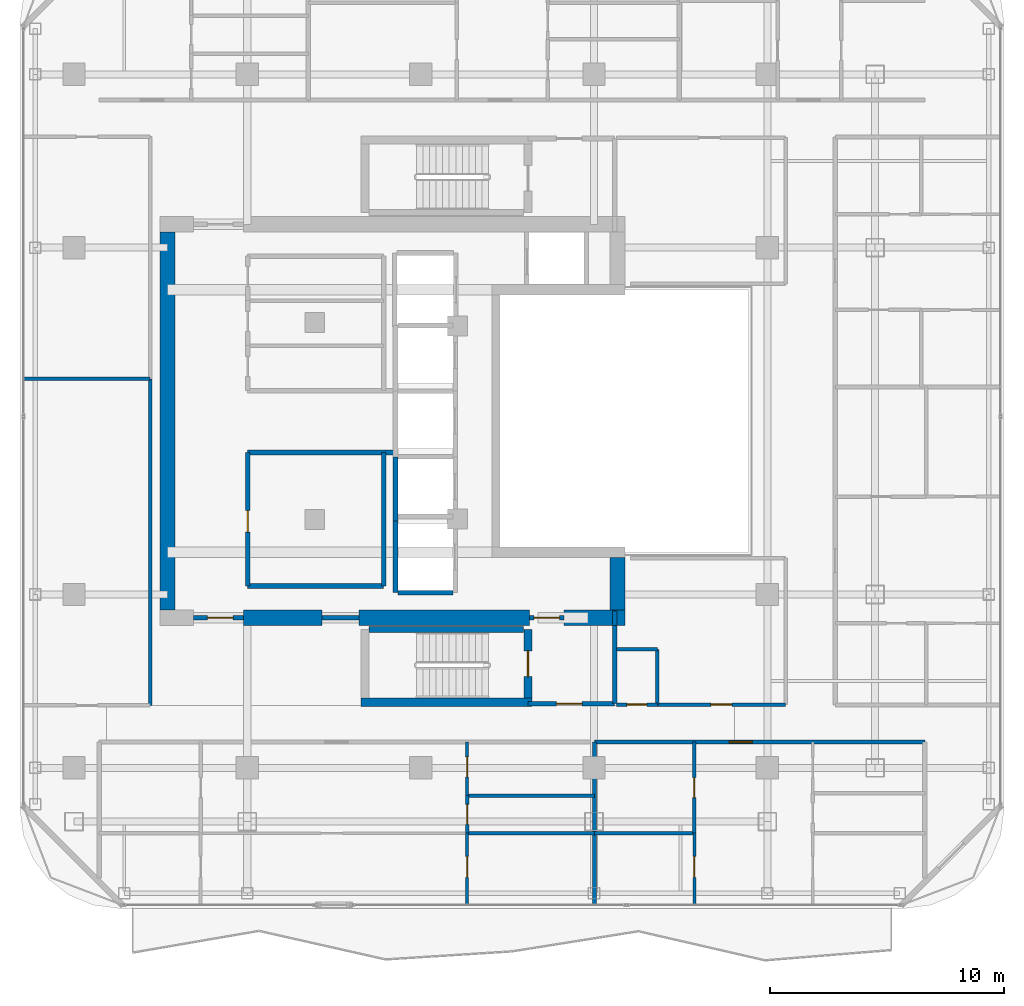
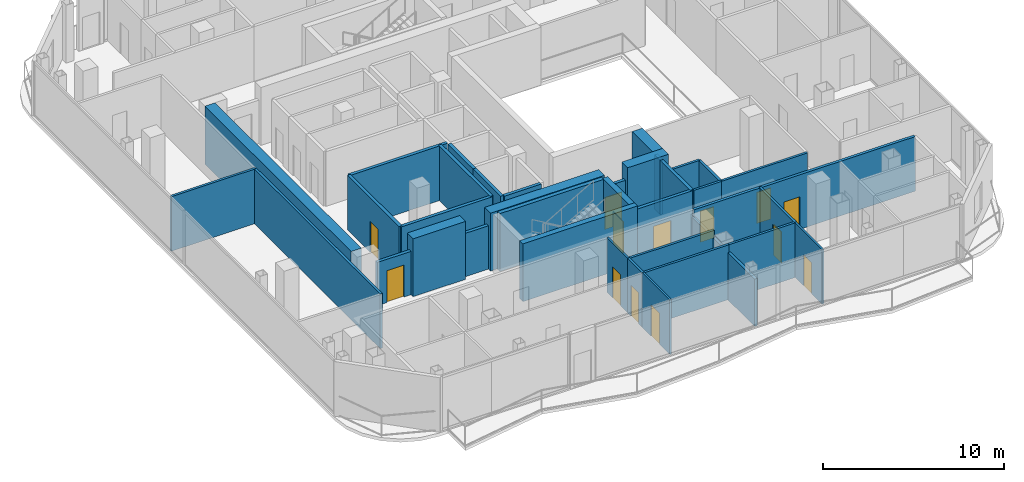
# One storey, part 16 of 23: 37 walls, 13 doors, 13 openings.
"""IFC4 building model written with IfcOpenShell, lengths in metres."""

from ifc_helpers import new_model, si_unit, direction, frame, frame_2d, origin, place, context, subcontext, project, spatial, rectangle, extrude, material, layer, layer_set, type_object, element, fill, save


model = new_model("IFC4")

# Units and contexts
model_context = context("Model", 3, precision=1e-05, world=origin(), true_north=direction((0.0, 1.0)))
body_context = subcontext(model_context, "Body", "Model", "MODEL_VIEW")
ifc_project = project(units=[si_unit("LENGTHUNIT", "METRE"), si_unit("AREAUNIT", "SQUARE_METRE"), si_unit("VOLUMEUNIT", "CUBIC_METRE"), si_unit("PLANEANGLEUNIT", "RADIAN"), si_unit("MASSUNIT", "GRAM", prefix="KILO")], contexts=[model_context])

# Site, building, storey
site_placement = place(None, origin())
site = spatial("IfcSite", under=ifc_project, at=site_placement, CompositionType="ELEMENT")
building_placement = place(site_placement, origin())
building = spatial("IfcBuilding", under=site, at=building_placement, Name="Khorvyn Point Tower", CompositionType="ELEMENT")
storey_placement = place(building_placement, frame((0.0, 0.0, 258.60009765625)))
storey = spatial("IfcBuildingStorey", under=building, at=storey_placement, Name="L63", CompositionType="ELEMENT", Elevation=258.60009765625)

# Wall, opening, door
ifc_material_1 = material(Name="Double acoustic gypsum on twin steel stud", Category="steel")
ifc_layer_1 = layer(ifc_material_1, 0.179931640625)
ifc_layer_set_1 = layer_set([ifc_layer_1], Name="Acoustic Double-Stud Apartment Demising Wall 180")
wall_type_1 = type_object("IfcWallType", Name="Acoustic Double-Stud Apartment Demising Wall 180", PredefinedType="PARTITIONING", material=ifc_layer_set_1)
wall_1_placement = place(storey_placement, frame((7.424072265625, -13.699951171875, 0.0), z_axis=(0.0, 0.0, 1.0), x_axis=(1.0, 0.0, 0.0)))
wall_1 = element("IfcWall", 1, at=wall_1_placement, inside=storey, type_object=wall_type_1, Name="Wall", PredefinedType="PARTITIONING", context=body_context, shape_type="SweptSolid", body=[
    extrude(rectangle(XDim=14.095947265625, YDim=0.179931640625, at=frame_2d((7.0478515625, 0.0))), origin(), (0.0, 0.0, 1.0), 3.679931640625),
])
opening_1_placement = place(wall_1_placement, frame((5.73828125, 0.0, 0.0)))
opening_1 = element("IfcOpeningElement", 2, at=opening_1_placement, cuts=wall_1, Name="Opening ID-AP60", PredefinedType="OPENING", context=body_context, shape_type="SweptSolid", body=[
    extrude(rectangle(XDim=1.0, YDim=2.199951171875, at=frame_2d((0.5, 1.10009765625))), frame((0.0, 0.099853515625, 0.0), z_axis=(0.0, -1.0, 0.0), x_axis=(1.0, 0.0, 0.0)), (0.0, 0.0, 1.0), 0.199951171875),
])
ifc_material_2 = material(Name="Engineered hardwood fire-rated leaf", Category="wood")
door_type_1 = type_object("IfcDoorType", Name="Acoustic Solid-Core Timber Apartment Entrance Door 1000x2200", OperationType="NOTDEFINED", PredefinedType="DOOR", material=ifc_material_2)
door_1_placement = place(opening_1_placement, origin())
door_1 = element("IfcDoor", 3, at=door_1_placement, inside=storey, type_object=door_type_1, Name="Door", OperationType="SINGLE_SWING_LEFT", OverallHeight=2.199951171875, OverallWidth=1.0, PredefinedType="DOOR", context=body_context, shape_type="SweptSolid", body=[
    extrude(rectangle(XDim=1.0, YDim=2.199951171875, at=frame_2d((0.5, 1.10009765625))), frame((0.0, 0.02490234375, 0.0), z_axis=(0.0, -1.0, 0.0), x_axis=(1.0, 0.0, 0.0)), (0.0, 0.0, 1.0), 0.050048828125),
])
fill(opening_1, door_1)

# Walls
wall_2_placement = place(storey_placement, frame((7.424072265625, -20.6298828125, 0.0), z_axis=(0.0, 0.0, 1.0), x_axis=(0.0, 1.0, 0.0)))
element("IfcWall", 4, at=wall_2_placement, inside=storey, type_object=wall_type_1, Name="Wall", PredefinedType="PARTITIONING", context=body_context, shape_type="SweptSolid", body=[
    extrude(rectangle(XDim=6.929931640625, YDim=0.179931640625, at=frame_2d((3.46484375, 0.0))), origin(), (0.0, 0.0, 1.0), 3.181884765625),
])
ifc_material_3 = material(Name="Concrete C40/50", Category="concrete")
ifc_layer_2 = layer(ifc_material_3, 0.64990234375)
ifc_layer_set_2 = layer_set([ifc_layer_2], Name="Concrete C40/50 Core Shear Wall 650")
wall_type_2 = type_object("IfcWallType", Name="Concrete C40/50 Core Shear Wall 650", PredefinedType="SHEAR", material=ifc_layer_set_2)
wall_3_placement = place(storey_placement, frame((-7.550048828125, -8.39990234375, 0.0), z_axis=(0.0, 0.0, 1.0), x_axis=(1.0, 0.0, 0.0)))
element("IfcWall", 5, at=wall_3_placement, inside=storey, type_object=wall_type_2, Name="Wall", PredefinedType="SHEAR", context=body_context, shape_type="SweptSolid", body=[
    extrude(rectangle(XDim=3.35009765625, YDim=0.64990234375, at=frame_2d((1.675048828125, 0.0))), origin(), (0.0, 0.0, 1.0), 3.89990234375),
])
wall_4_placement = place(storey_placement, frame((-2.6201171875, -8.39990234375, 0.0), z_axis=(0.0, 0.0, 1.0), x_axis=(1.0, 0.0, 0.0)))
element("IfcWall", 6, at=wall_4_placement, inside=storey, type_object=wall_type_2, Name="Wall", PredefinedType="SHEAR", context=body_context, shape_type="SweptSolid", body=[
    extrude(rectangle(XDim=7.27001953125, YDim=0.64990234375, at=frame_2d((3.635009765625, 0.0))), origin(), (0.0, 0.0, 1.0), 3.89990234375),
])
wall_5_placement = place(storey_placement, frame((6.1201171875, -8.39990234375, 0.0), z_axis=(0.0, 0.0, 1.0), x_axis=(1.0, 0.0, 0.0)))
element("IfcWall", 7, at=wall_5_placement, inside=storey, type_object=wall_type_2, Name="Wall", PredefinedType="SHEAR", context=body_context, shape_type="SweptSolid", body=[
    extrude(rectangle(XDim=2.60498046875, YDim=0.64990234375, at=frame_2d((1.302490234375, 0.0))), origin(), (0.0, 0.0, 1.0), 3.89990234375),
])
wall_6_placement = place(storey_placement, frame((-10.800048828125, -8.074951171875, 0.0), z_axis=(0.0, 0.0, 1.0), x_axis=(0.0, 1.0, 0.0)))
element("IfcWall", 8, at=wall_6_placement, inside=storey, type_object=wall_type_2, Name="Wall", PredefinedType="SHEAR", context=body_context, shape_type="SweptSolid", body=[
    extrude(rectangle(XDim=16.14990234375, YDim=0.64990234375, at=frame_2d((8.074951171875, 0.0))), origin(), (0.0, 0.0, 1.0), 3.89990234375),
])
wall_7_placement = place(storey_placement, frame((8.39990234375, -8.074951171875, 0.0), z_axis=(0.0, 0.0, 1.0), x_axis=(0.0, 1.0, 0.0)))
element("IfcWall", 9, at=wall_7_placement, inside=storey, type_object=wall_type_2, Name="Wall", PredefinedType="SHEAR", context=body_context, shape_type="SweptSolid", body=[
    extrude(rectangle(XDim=2.25, YDim=0.64990234375, at=frame_2d((1.125, 0.0))), origin(), (0.0, 0.0, 1.0), 3.89990234375),
])

# Wall, opening, door
ifc_layer_3 = layer(ifc_material_3, 0.199951171875)
ifc_layer_set_3 = layer_set([ifc_layer_3], Name="Concrete C40/50 Fire-Lobby Compartment Wall 200")
wall_type_3 = type_object("IfcWallType", Name="Concrete C40/50 Fire-Lobby Compartment Wall 200", PredefinedType="SOLIDWALL", material=ifc_layer_set_3)
wall_8_placement = place(storey_placement, frame((4.580078125, -12.06005859375, 0.0), z_axis=(0.0, 0.0, 1.0), x_axis=(1.0, 0.0, 0.0)))
wall_8 = element("IfcWall", 10, at=wall_8_placement, inside=storey, type_object=wall_type_3, Name="Wall", PredefinedType="SOLIDWALL", context=body_context, shape_type="SweptSolid", body=[
    extrude(rectangle(XDim=3.699951171875, YDim=0.199951171875, at=frame_2d((1.85009765625, 0.0))), origin(), (0.0, 0.0, 1.0), 3.679931640625),
])
opening_2_placement = place(wall_8_placement, frame((1.21240234375, 0.0, 0.0)))
opening_2 = element("IfcOpeningElement", 11, at=opening_2_placement, cuts=wall_8, Name="Opening ID-FL90", PredefinedType="OPENING", context=body_context, shape_type="SweptSolid", body=[
    extrude(rectangle(XDim=1.10009765625, YDim=2.14990234375, at=frame_2d((0.550048828125, 1.074951171875))), frame((0.0, 0.10986328125, 0.0), z_axis=(0.0, -1.0, 0.0), x_axis=(1.0, 0.0, 0.0)), (0.0, 0.0, 1.0), 0.219970703125),
])
ifc_material_4 = material(Name="Galvanised powder-coated steel", Category="steel")
door_type_2 = type_object("IfcDoorType", Name="Fire-Rated Steel Lobby and Stair Door 1100x2150", OperationType="NOTDEFINED", PredefinedType="DOOR", material=ifc_material_4)
door_2_placement = place(opening_2_placement, origin())
door_2 = element("IfcDoor", 12, at=door_2_placement, inside=storey, type_object=door_type_2, Name="Door", OperationType="SINGLE_SWING_LEFT", OverallHeight=2.14990234375, OverallWidth=1.10009765625, PredefinedType="DOOR", context=body_context, shape_type="SweptSolid", body=[
    extrude(rectangle(XDim=1.10009765625, YDim=2.14990234375, at=frame_2d((0.550048828125, 1.074951171875))), frame((0.0, 0.02490234375, 0.0), z_axis=(0.0, -1.0, 0.0), x_axis=(1.0, 0.0, 0.0)), (0.0, 0.0, 1.0), 0.050048828125),
])
fill(opening_2, door_2)

wall_9_placement = place(storey_placement, frame((4.64990234375, -8.39990234375, 0.0), z_axis=(0.0, 0.0, 1.0), x_axis=(1.0, 0.0, 0.0)))
wall_9 = element("IfcWall", 13, at=wall_9_placement, inside=storey, type_object=wall_type_3, Name="Wall", PredefinedType="SOLIDWALL", context=body_context, shape_type="SweptSolid", body=[
    extrude(rectangle(XDim=1.47021484375, YDim=0.199951171875, at=frame_2d((0.735107421875, 0.0))), origin(), (0.0, 0.0, 1.0), 2.919921875),
])
opening_3_placement = place(wall_9_placement, frame((0.18505859375, 0.0, 0.0)))
opening_3 = element("IfcOpeningElement", 14, at=opening_3_placement, cuts=wall_9, Name="Opening ID-FL90", PredefinedType="OPENING", context=body_context, shape_type="SweptSolid", body=[
    extrude(rectangle(XDim=1.10009765625, YDim=2.14990234375, at=frame_2d((0.550048828125, 1.074951171875))), frame((0.0, 0.10986328125, 0.0), z_axis=(0.0, -1.0, 0.0), x_axis=(1.0, 0.0, 0.0)), (0.0, 0.0, 1.0), 0.219970703125),
])
door_3_placement = place(opening_3_placement, origin())
door_3 = element("IfcDoor", 15, at=door_3_placement, inside=storey, type_object=door_type_2, Name="Door", OperationType="SINGLE_SWING_RIGHT", OverallHeight=2.14990234375, OverallWidth=1.10009765625, PredefinedType="DOOR", context=body_context, shape_type="SweptSolid", body=[
    extrude(rectangle(XDim=1.10009765625, YDim=2.14990234375, at=frame_2d((0.550048828125, 1.074951171875))), frame((0.0, 0.02490234375, 0.0), z_axis=(0.0, -1.0, 0.0), x_axis=(1.0, 0.0, 0.0)), (0.0, 0.0, 1.0), 0.050048828125),
])
fill(opening_3, door_3)

wall_10_placement = place(storey_placement, frame((-9.699951171875, -8.39990234375, 0.0), z_axis=(0.0, 0.0, 1.0), x_axis=(1.0, 0.0, 0.0)))
wall_10 = element("IfcWall", 16, at=wall_10_placement, inside=storey, type_object=wall_type_3, Name="Wall", PredefinedType="SOLIDWALL", context=body_context, shape_type="SweptSolid", body=[
    extrude(rectangle(XDim=2.14990234375, YDim=0.199951171875, at=frame_2d((1.074951171875, 0.0))), origin(), (0.0, 0.0, 1.0), 2.919921875),
])
opening_4_placement = place(wall_10_placement, frame((0.597900390625, 0.0, 0.0)))
opening_4 = element("IfcOpeningElement", 17, at=opening_4_placement, cuts=wall_10, Name="Opening ID-FL90", PredefinedType="OPENING", context=body_context, shape_type="SweptSolid", body=[
    extrude(rectangle(XDim=1.10009765625, YDim=2.14990234375, at=frame_2d((0.550048828125, 1.074951171875))), frame((0.0, 0.10986328125, 0.0), z_axis=(0.0, -1.0, 0.0), x_axis=(1.0, 0.0, 0.0)), (0.0, 0.0, 1.0), 0.219970703125),
])
door_4_placement = place(opening_4_placement, origin())
door_4 = element("IfcDoor", 18, at=door_4_placement, inside=storey, type_object=door_type_2, Name="Door", OperationType="SINGLE_SWING_RIGHT", OverallHeight=2.14990234375, OverallWidth=1.10009765625, PredefinedType="DOOR", context=body_context, shape_type="SweptSolid", body=[
    extrude(rectangle(XDim=1.10009765625, YDim=2.14990234375, at=frame_2d((0.550048828125, 1.074951171875))), frame((0.0, 0.02490234375, 0.0), z_axis=(0.0, -1.0, 0.0), x_axis=(1.0, 0.0, 0.0)), (0.0, 0.0, 1.0), 0.050048828125),
])
fill(opening_4, door_4)

wall_11_placement = place(storey_placement, frame((-7.3798828125, -7.0400390625, 0.0), z_axis=(0.0, 0.0, 1.0), x_axis=(0.0, 1.0, 0.0)))
wall_11 = element("IfcWall", 19, at=wall_11_placement, inside=storey, type_object=wall_type_3, Name="Wall", PredefinedType="SOLIDWALL", context=body_context, shape_type="SweptSolid", body=[
    extrude(rectangle(XDim=5.699951171875, YDim=0.199951171875, at=frame_2d((2.85009765625, 0.0))), origin(), (0.0, 0.0, 1.0), 3.679931640625),
])
opening_5_placement = place(wall_11_placement, frame((2.30078125, 0.0, 0.0)))
opening_5 = element("IfcOpeningElement", 20, at=opening_5_placement, cuts=wall_11, Name="Opening ID-RS60", PredefinedType="OPENING", context=body_context, shape_type="SweptSolid", body=[
    extrude(rectangle(XDim=0.919921875, YDim=2.10009765625, at=frame_2d((0.4599609375, 1.050048828125))), frame((0.0, 0.10986328125, 0.0), z_axis=(0.0, -1.0, 0.0), x_axis=(1.0, 0.0, 0.0)), (0.0, 0.0, 1.0), 0.219970703125),
])
door_type_3 = type_object("IfcDoorType", Name="Fire-Rated Riser and Store Steel Door 920x2100", OperationType="NOTDEFINED", PredefinedType="DOOR", material=ifc_material_4)
door_5_placement = place(opening_5_placement, origin())
door_5 = element("IfcDoor", 21, at=door_5_placement, inside=storey, type_object=door_type_3, Name="Door", OperationType="SINGLE_SWING_RIGHT", OverallHeight=2.10009765625, OverallWidth=0.919921875, PredefinedType="DOOR", context=body_context, shape_type="SweptSolid", body=[
    extrude(rectangle(XDim=0.919921875, YDim=2.10009765625, at=frame_2d((0.4599609375, 1.050048828125))), frame((0.0, 0.02490234375, 0.0), z_axis=(0.0, -1.0, 0.0), x_axis=(1.0, 0.0, 0.0)), (0.0, 0.0, 1.0), 0.050048828125),
])
fill(opening_5, door_5)

# Walls
wall_12_placement = place(storey_placement, frame((8.280029296875, -12.06005859375, 0.0), z_axis=(0.0, 0.0, 1.0), x_axis=(0.0, 1.0, 0.0)))
element("IfcWall", 22, at=wall_12_placement, inside=storey, type_object=wall_type_3, Name="Wall", PredefinedType="SOLIDWALL", context=body_context, shape_type="SweptSolid", body=[
    extrude(rectangle(XDim=3.3349609375, YDim=0.199951171875, at=frame_2d((1.66748046875, 0.0))), origin(), (0.0, 0.0, 1.0), 3.679931640625),
])
wall_13_placement = place(storey_placement, frame((-4.199951171875, -8.39990234375, 0.0), z_axis=(0.0, 0.0, 1.0), x_axis=(1.0, 0.0, 0.0)))
element("IfcWall", 23, at=wall_13_placement, inside=storey, type_object=wall_type_3, Name="Wall", PredefinedType="SOLIDWALL", context=body_context, shape_type="SweptSolid", body=[
    extrude(rectangle(XDim=1.579833984375, YDim=0.199951171875, at=frame_2d((0.7900390625, 0.0))), origin(), (0.0, 0.0, 1.0), 2.919921875),
])
wall_14_placement = place(storey_placement, frame((-7.3798828125, -1.340087890625, 0.0), z_axis=(0.0, 0.0, 1.0), x_axis=(1.0, 0.0, 0.0)))
element("IfcWall", 24, at=wall_14_placement, inside=storey, type_object=wall_type_3, Name="Wall", PredefinedType="SOLIDWALL", context=body_context, shape_type="SweptSolid", body=[
    extrude(rectangle(XDim=6.239990234375, YDim=0.199951171875, at=frame_2d((3.1201171875, 0.0))), origin(), (0.0, 0.0, 1.0), 3.679931640625),
])
wall_15_placement = place(storey_placement, frame((-1.580078125, -7.0400390625, 0.0), z_axis=(0.0, 0.0, 1.0), x_axis=(0.0, 1.0, 0.0)))
element("IfcWall", 25, at=wall_15_placement, inside=storey, type_object=wall_type_3, Name="Wall", PredefinedType="SOLIDWALL", context=body_context, shape_type="SweptSolid", body=[
    extrude(rectangle(XDim=5.699951171875, YDim=0.199951171875, at=frame_2d((2.85009765625, 0.0))), origin(), (0.0, 0.0, 1.0), 3.679931640625),
])
wall_16_placement = place(storey_placement, frame((-7.3798828125, -7.0400390625, 0.0), z_axis=(0.0, 0.0, 1.0), x_axis=(1.0, 0.0, 0.0)))
element("IfcWall", 26, at=wall_16_placement, inside=storey, type_object=wall_type_3, Name="Wall", PredefinedType="SOLIDWALL", context=body_context, shape_type="SweptSolid", body=[
    extrude(rectangle(XDim=5.7998046875, YDim=0.199951171875, at=frame_2d((2.89990234375, 0.0))), origin(), (0.0, 0.0, 1.0), 3.679931640625),
])
wall_17_placement = place(storey_placement, frame((8.280029296875, -8.72509765625, 0.0), z_axis=(0.0, 0.0, 1.0), x_axis=(0.0, 1.0, 0.0)))
element("IfcWall", 27, at=wall_17_placement, inside=storey, type_object=wall_type_3, Name="Wall", PredefinedType="SOLIDWALL", context=body_context, shape_type="SweptSolid", body=[
    extrude(rectangle(XDim=0.625, YDim=0.199951171875, at=frame_2d((0.3125, 0.0))), origin(), (0.0, 0.0, 1.0), 3.679931640625),
])
ifc_layer_4 = layer(ifc_material_3, 0.25)
ifc_layer_set_4 = layer_set([ifc_layer_4], Name="Concrete C40/50 Stair Inner Cheek Structural Wall 250")
wall_type_4 = type_object("IfcWallType", Name="Concrete C40/50 Stair Inner Cheek Structural Wall 250", PredefinedType="SHEAR", material=ifc_layer_set_4)
wall_18_placement = place(storey_placement, frame((-2.199951171875, -8.89990234375, 0.0), z_axis=(0.0, 0.0, 1.0), x_axis=(1.0, 0.0, 0.0)))
element("IfcWall", 28, at=wall_18_placement, inside=storey, type_object=wall_type_4, Name="Wall", PredefinedType="SHEAR", context=body_context, shape_type="SweptSolid", body=[
    extrude(rectangle(XDim=6.599853515625, YDim=0.25, at=frame_2d((3.2998046875, 0.0))), origin(), (0.0, 0.0, 1.0), 3.89990234375),
])
ifc_layer_5 = layer(ifc_material_3, 0.35009765625)
ifc_layer_set_5 = layer_set([ifc_layer_5], Name="Concrete C40/50 Stair Shaft Structural Wall 350")
wall_type_5 = type_object("IfcWallType", Name="Concrete C40/50 Stair Shaft Structural Wall 350", PredefinedType="SHEAR", material=ifc_layer_set_5)
wall_19_placement = place(storey_placement, frame((-2.554931640625, -12.0, 0.0), z_axis=(0.0, 0.0, 1.0), x_axis=(1.0, 0.0, 0.0)))
element("IfcWall", 29, at=wall_19_placement, inside=storey, type_object=wall_type_5, Name="L63 ST-01 South Shaft Wall", PredefinedType="SHEAR", context=body_context, shape_type="SweptSolid", body=[
    extrude(rectangle(XDim=7.309814453125, YDim=0.35009765625, at=frame_2d((3.65478515625, 0.0))), origin(), (0.0, 0.0, 1.0), 3.89990234375),
])

# Wall, opening, door
wall_20_placement = place(storey_placement, frame((4.580078125, -8.89990234375, 0.0), z_axis=(0.0, 0.0, 1.0), x_axis=(0.0, -1.0, 0.0)))
wall_20 = element("IfcWall", 30, at=wall_20_placement, inside=storey, type_object=wall_type_5, Name="L63 ST-01 East Landing Door Wall", PredefinedType="SHEAR", context=body_context, shape_type="SweptSolid", body=[
    extrude(rectangle(XDim=2.925048828125, YDim=0.35009765625, at=frame_2d((1.46240234375, 0.0))), origin(), (0.0, 0.0, 1.0), 3.89990234375),
])
opening_6_placement = place(wall_20_placement, frame((0.91259765625, 0.0, 0.0)))
opening_6 = element("IfcOpeningElement", 31, at=opening_6_placement, cuts=wall_20, Name="Opening ID-FL90", PredefinedType="OPENING", context=body_context, shape_type="SweptSolid", body=[
    extrude(rectangle(XDim=1.10009765625, YDim=2.14990234375, at=frame_2d((0.550048828125, 1.074951171875))), frame((0.0, 0.18505859375, 0.0), z_axis=(0.0, -1.0, 0.0), x_axis=(1.0, 0.0, 0.0)), (0.0, 0.0, 1.0), 0.3701171875),
])
door_6_placement = place(opening_6_placement, origin())
door_6 = element("IfcDoor", 32, at=door_6_placement, inside=storey, type_object=door_type_2, Name="L63 ST-01 Smokeproof Landing Door", OperationType="SINGLE_SWING_LEFT", OverallHeight=2.14990234375, OverallWidth=1.10009765625, PredefinedType="DOOR", context=body_context, shape_type="SweptSolid", body=[
    extrude(rectangle(XDim=1.10009765625, YDim=2.14990234375, at=frame_2d((0.550048828125, 1.074951171875))), frame((0.0, 0.02490234375, 0.0), z_axis=(0.0, -1.0, 0.0), x_axis=(1.0, 0.0, 0.0)), (0.0, 0.0, 1.0), 0.050048828125),
])
fill(opening_6, door_6)

# Walls
ifc_layer_6 = layer(ifc_material_3, 0.199951171875)
ifc_layer_set_6 = layer_set([ifc_layer_6], Name="Concrete C40/50 Structural Hoistway and Stair Shaft Wall 200")
wall_type_6 = type_object("IfcWallType", Name="Concrete C40/50 Structural Hoistway and Stair Shaft Wall 200", PredefinedType="SHEAR", material=ifc_layer_set_6)
wall_21_placement = place(storey_placement, frame((-1.074951171875, -4.27490234375, 0.0), z_axis=(0.0, 0.0, 1.0), x_axis=(0.0, 1.0, 0.0)))
element("IfcWall", 33, at=wall_21_placement, inside=storey, type_object=wall_type_6, Name="Wall", PredefinedType="SHEAR", context=body_context, shape_type="SweptSolid", body=[
    extrude(rectangle(XDim=2.75, YDim=0.199951171875, at=frame_2d((1.375, 0.0))), origin(), (0.0, 0.0, 1.0), 3.679931640625),
])
wall_22_placement = place(storey_placement, frame((-1.074951171875, -7.324951171875, 0.0), z_axis=(0.0, 0.0, 1.0), x_axis=(0.0, 1.0, 0.0)))
element("IfcWall", 34, at=wall_22_placement, inside=storey, type_object=wall_type_6, Name="Wall", PredefinedType="SHEAR", context=body_context, shape_type="SweptSolid", body=[
    extrude(rectangle(XDim=3.050048828125, YDim=0.199951171875, at=frame_2d((1.52490234375, 0.0))), origin(), (0.0, 0.0, 1.0), 3.679931640625),
])
wall_23_placement = place(storey_placement, frame((-0.97509765625, -7.324951171875, 0.0), z_axis=(0.0, 0.0, 1.0), x_axis=(1.0, 0.0, 0.0)))
element("IfcWall", 35, at=wall_23_placement, inside=storey, type_object=wall_type_6, Name="Wall", PredefinedType="SHEAR", context=body_context, shape_type="SweptSolid", body=[
    extrude(rectangle(XDim=2.35009765625, YDim=0.199951171875, at=frame_2d((1.175048828125, 0.0))), origin(), (0.0, 0.0, 1.0), 3.679931640625),
])

# Wall, opening, door
ifc_material_5 = material(Name="Gypsum plasterboard on steel stud", Category="steel")
ifc_layer_7 = layer(ifc_material_5, 0.1201171875)
ifc_layer_set_7 = layer_set([ifc_layer_7], Name="Gypsum Acoustic Stud Room Partition Wall 120")
wall_type_7 = type_object("IfcWallType", Name="Gypsum Acoustic Stud Room Partition Wall 120", PredefinedType="PARTITIONING", material=ifc_layer_set_7)
wall_24_placement = place(storey_placement, frame((1.98291015625, -15.98291015625, 0.0), z_axis=(0.0, 0.0, 1.0), x_axis=(0.0, 1.0, 0.0)))
wall_24 = element("IfcWall", 36, at=wall_24_placement, inside=storey, type_object=wall_type_7, Name="Wall", PredefinedType="PARTITIONING", context=body_context, shape_type="SweptSolid", body=[
    extrude(rectangle(XDim=2.282958984375, YDim=0.1201171875, at=frame_2d((1.1416015625, 0.0))), origin(), (0.0, 0.0, 1.0), 3.679931640625),
])
opening_7_placement = place(wall_24_placement, frame((0.7958984375, 0.0, 0.0)))
opening_7 = element("IfcOpeningElement", 37, at=opening_7_placement, cuts=wall_24, Name="Opening ID-WC85", PredefinedType="OPENING", context=body_context, shape_type="SweptSolid", body=[
    extrude(rectangle(XDim=0.85009765625, YDim=2.10009765625, at=frame_2d((0.425048828125, 1.050048828125))), frame((0.0, 0.070068359375, 0.0), z_axis=(0.0, -1.0, 0.0), x_axis=(1.0, 0.0, 0.0)), (0.0, 0.0, 1.0), 0.14013671875),
])
ifc_material_6 = material(Name="High-pressure laminate on moisture-resistant core", Category="wood")
door_type_4 = type_object("IfcDoorType", Name="Moisture-Resistant Accessible Washroom Door 850x2100", OperationType="NOTDEFINED", PredefinedType="DOOR", material=ifc_material_6)
door_7_placement = place(opening_7_placement, origin())
door_7 = element("IfcDoor", 38, at=door_7_placement, inside=storey, type_object=door_type_4, Name="Door", OperationType="SINGLE_SWING_LEFT", OverallHeight=2.10009765625, OverallWidth=0.85009765625, PredefinedType="DOOR", context=body_context, shape_type="SweptSolid", body=[
    extrude(rectangle(XDim=0.85009765625, YDim=2.10009765625, at=frame_2d((0.425048828125, 1.050048828125))), frame((0.0, 0.02490234375, 0.0), z_axis=(0.0, -1.0, 0.0), x_axis=(1.0, 0.0, 0.0)), (0.0, 0.0, 1.0), 0.050048828125),
])
fill(opening_7, door_7)

wall_25_placement = place(storey_placement, frame((1.98291015625, -20.6298828125, 0.0), z_axis=(0.0, 0.0, 1.0), x_axis=(0.0, 1.0, 0.0)))
wall_25 = element("IfcWall", 39, at=wall_25_placement, inside=storey, type_object=wall_type_7, Name="Wall", PredefinedType="PARTITIONING", context=body_context, shape_type="SweptSolid", body=[
    extrude(rectangle(XDim=3.039794921875, YDim=0.1201171875, at=frame_2d((1.52001953125, 0.0))), origin(), (0.0, 0.0, 1.0), 3.679931640625),
])
opening_8_placement = place(wall_25_placement, frame((1.152587890625, 0.0, 0.0)))
opening_8 = element("IfcOpeningElement", 40, at=opening_8_placement, cuts=wall_25, Name="Opening ID-RM90", PredefinedType="OPENING", context=body_context, shape_type="SweptSolid", body=[
    extrude(rectangle(XDim=0.89990234375, YDim=2.10009765625, at=frame_2d((0.449951171875, 1.050048828125))), frame((0.0, 0.070068359375, 0.0), z_axis=(0.0, -1.0, 0.0), x_axis=(1.0, 0.0, 0.0)), (0.0, 0.0, 1.0), 0.14013671875),
])
ifc_material_7 = material(Name="Engineered oak veneer timber", Category="wood")
door_type_5 = type_object("IfcDoorType", Name="Flush Engineered Timber Room Door 900x2100", OperationType="NOTDEFINED", PredefinedType="DOOR", material=ifc_material_7)
door_8_placement = place(opening_8_placement, origin())
door_8 = element("IfcDoor", 41, at=door_8_placement, inside=storey, type_object=door_type_5, Name="Door", OperationType="SINGLE_SWING_RIGHT", OverallHeight=2.10009765625, OverallWidth=0.89990234375, PredefinedType="DOOR", context=body_context, shape_type="SweptSolid", body=[
    extrude(rectangle(XDim=0.89990234375, YDim=2.10009765625, at=frame_2d((0.449951171875, 1.050048828125))), frame((0.0, 0.02490234375, 0.0), z_axis=(0.0, -1.0, 0.0), x_axis=(1.0, 0.0, 0.0)), (0.0, 0.0, 1.0), 0.050048828125),
])
fill(opening_8, door_8)

wall_26_placement = place(storey_placement, frame((11.68408203125, -20.6298828125, 0.0), z_axis=(0.0, 0.0, 1.0), x_axis=(0.0, 1.0, 0.0)))
wall_26 = element("IfcWall", 42, at=wall_26_placement, inside=storey, type_object=wall_type_7, Name="Wall", PredefinedType="PARTITIONING", context=body_context, shape_type="SweptSolid", body=[
    extrude(rectangle(XDim=3.039794921875, YDim=0.1201171875, at=frame_2d((1.52001953125, 0.0))), origin(), (0.0, 0.0, 1.0), 3.679931640625),
])
opening_9_placement = place(wall_26_placement, frame((1.152587890625, 0.0, 0.0)))
opening_9 = element("IfcOpeningElement", 43, at=opening_9_placement, cuts=wall_26, Name="Opening ID-RM90", PredefinedType="OPENING", context=body_context, shape_type="SweptSolid", body=[
    extrude(rectangle(XDim=0.89990234375, YDim=2.10009765625, at=frame_2d((0.449951171875, 1.050048828125))), frame((0.0, 0.070068359375, 0.0), z_axis=(0.0, -1.0, 0.0), x_axis=(1.0, 0.0, 0.0)), (0.0, 0.0, 1.0), 0.14013671875),
])
door_9_placement = place(opening_9_placement, origin())
door_9 = element("IfcDoor", 44, at=door_9_placement, inside=storey, type_object=door_type_5, Name="Door", OperationType="SINGLE_SWING_LEFT", OverallHeight=2.10009765625, OverallWidth=0.89990234375, PredefinedType="DOOR", context=body_context, shape_type="SweptSolid", body=[
    extrude(rectangle(XDim=0.89990234375, YDim=2.10009765625, at=frame_2d((0.449951171875, 1.050048828125))), frame((0.0, 0.02490234375, 0.0), z_axis=(0.0, -1.0, 0.0), x_axis=(1.0, 0.0, 0.0)), (0.0, 0.0, 1.0), 0.050048828125),
])
fill(opening_9, door_9)

ifc_material_8 = material(Name="Moisture-resistant gypsum and cement board", Category="gypsum")
ifc_layer_8 = layer(ifc_material_8, 0.14990234375)
ifc_layer_set_8 = layer_set([ifc_layer_8], Name="Moisture-Resistant Wet-Room Partition Wall 150")
wall_type_8 = type_object("IfcWallType", Name="Moisture-Resistant Wet-Room Partition Wall 150", PredefinedType="PARTITIONING", material=ifc_layer_set_8)
wall_27_placement = place(storey_placement, frame((8.360107421875, -12.10009765625, 0.0), z_axis=(0.0, 0.0, 1.0), x_axis=(1.0, 0.0, 0.0)))
wall_27 = element("IfcWall", 45, at=wall_27_placement, inside=storey, type_object=wall_type_8, Name="Wall", PredefinedType="PARTITIONING", context=body_context, shape_type="SweptSolid", body=[
    extrude(rectangle(XDim=1.739990234375, YDim=0.14990234375, at=frame_2d((0.8701171875, 0.0))), origin(), (0.0, 0.0, 1.0), 3.679931640625),
])
opening_10_placement = place(wall_27_placement, frame((0.445068359375, 0.0, 0.0)))
opening_10 = element("IfcOpeningElement", 46, at=opening_10_placement, cuts=wall_27, Name="Opening ID-WC85", PredefinedType="OPENING", context=body_context, shape_type="SweptSolid", body=[
    extrude(rectangle(XDim=0.85009765625, YDim=2.10009765625, at=frame_2d((0.425048828125, 1.050048828125))), frame((0.0, 0.0849609375, 0.0), z_axis=(0.0, -1.0, 0.0), x_axis=(1.0, 0.0, 0.0)), (0.0, 0.0, 1.0), 0.169921875),
])
door_10_placement = place(opening_10_placement, origin())
door_10 = element("IfcDoor", 47, at=door_10_placement, inside=storey, type_object=door_type_4, Name="Door", OperationType="SINGLE_SWING_RIGHT", OverallHeight=2.10009765625, OverallWidth=0.85009765625, PredefinedType="DOOR", context=body_context, shape_type="SweptSolid", body=[
    extrude(rectangle(XDim=0.85009765625, YDim=2.10009765625, at=frame_2d((0.425048828125, 1.050048828125))), frame((0.0, 0.02490234375, 0.0), z_axis=(0.0, -1.0, 0.0), x_axis=(1.0, 0.0, 0.0)), (0.0, 0.0, 1.0), 0.050048828125),
])
fill(opening_10, door_10)

wall_28_placement = place(storey_placement, frame((10.10009765625, -12.10009765625, 0.0), z_axis=(0.0, 0.0, 1.0), x_axis=(1.0, 0.0, 0.0)))
wall_28 = element("IfcWall", 48, at=wall_28_placement, inside=storey, type_object=wall_type_8, Name="Wall", PredefinedType="PARTITIONING", context=body_context, shape_type="SweptSolid", body=[
    extrude(rectangle(XDim=5.47998046875, YDim=0.14990234375, at=frame_2d((2.739990234375, 0.0))), origin(), (0.0, 0.0, 1.0), 3.679931640625),
])
opening_11_placement = place(wall_28_placement, frame((2.2900390625, 0.0, 0.0)))
opening_11 = element("IfcOpeningElement", 49, at=opening_11_placement, cuts=wall_28, Name="Opening ID-RM90", PredefinedType="OPENING", context=body_context, shape_type="SweptSolid", body=[
    extrude(rectangle(XDim=0.89990234375, YDim=2.10009765625, at=frame_2d((0.449951171875, 1.050048828125))), frame((0.0, 0.0849609375, 0.0), z_axis=(0.0, -1.0, 0.0), x_axis=(1.0, 0.0, 0.0)), (0.0, 0.0, 1.0), 0.169921875),
])
door_11_placement = place(opening_11_placement, origin())
door_11 = element("IfcDoor", 50, at=door_11_placement, inside=storey, type_object=door_type_5, Name="Door", OperationType="SINGLE_SWING_LEFT", OverallHeight=2.10009765625, OverallWidth=0.89990234375, PredefinedType="DOOR", context=body_context, shape_type="SweptSolid", body=[
    extrude(rectangle(XDim=0.89990234375, YDim=2.10009765625, at=frame_2d((0.449951171875, 1.050048828125))), frame((0.0, 0.02490234375, 0.0), z_axis=(0.0, -1.0, 0.0), x_axis=(1.0, 0.0, 0.0)), (0.0, 0.0, 1.0), 0.050048828125),
])
fill(opening_11, door_11)

wall_29_placement = place(storey_placement, frame((1.98291015625, -17.590087890625, 0.0), z_axis=(0.0, 0.0, 1.0), x_axis=(0.0, 1.0, 0.0)))
wall_29 = element("IfcWall", 51, at=wall_29_placement, inside=storey, type_object=wall_type_8, Name="Wall", PredefinedType="PARTITIONING", context=body_context, shape_type="SweptSolid", body=[
    extrude(rectangle(XDim=1.607177734375, YDim=0.14990234375, at=frame_2d((0.8037109375, 0.0))), origin(), (0.0, 0.0, 1.0), 3.679931640625),
])
opening_12_placement = place(wall_29_placement, frame((0.37841796875, 0.0, 0.0)))
opening_12 = element("IfcOpeningElement", 52, at=opening_12_placement, cuts=wall_29, Name="Opening ID-WC85", PredefinedType="OPENING", context=body_context, shape_type="SweptSolid", body=[
    extrude(rectangle(XDim=0.85009765625, YDim=2.10009765625, at=frame_2d((0.425048828125, 1.050048828125))), frame((0.0, 0.0849609375, 0.0), z_axis=(0.0, -1.0, 0.0), x_axis=(1.0, 0.0, 0.0)), (0.0, 0.0, 1.0), 0.169921875),
])
door_12_placement = place(opening_12_placement, origin())
door_12 = element("IfcDoor", 53, at=door_12_placement, inside=storey, type_object=door_type_4, Name="Door", OperationType="SINGLE_SWING_RIGHT", OverallHeight=2.10009765625, OverallWidth=0.85009765625, PredefinedType="DOOR", context=body_context, shape_type="SweptSolid", body=[
    extrude(rectangle(XDim=0.85009765625, YDim=2.10009765625, at=frame_2d((0.425048828125, 1.050048828125))), frame((0.0, 0.02490234375, 0.0), z_axis=(0.0, -1.0, 0.0), x_axis=(1.0, 0.0, 0.0)), (0.0, 0.0, 1.0), 0.050048828125),
])
fill(opening_12, door_12)

wall_30_placement = place(storey_placement, frame((11.68408203125, -17.590087890625, 0.0), z_axis=(0.0, 0.0, 1.0), x_axis=(0.0, 1.0, 0.0)))
wall_30 = element("IfcWall", 54, at=wall_30_placement, inside=storey, type_object=wall_type_8, Name="Wall", PredefinedType="PARTITIONING", context=body_context, shape_type="SweptSolid", body=[
    extrude(rectangle(XDim=3.89013671875, YDim=0.14990234375, at=frame_2d((1.945068359375, 0.0))), origin(), (0.0, 0.0, 1.0), 3.679931640625),
])
opening_13_placement = place(wall_30_placement, frame((1.52001953125, 0.0, 0.0)))
opening_13 = element("IfcOpeningElement", 55, at=opening_13_placement, cuts=wall_30, Name="Opening ID-WC85", PredefinedType="OPENING", context=body_context, shape_type="SweptSolid", body=[
    extrude(rectangle(XDim=0.85009765625, YDim=2.10009765625, at=frame_2d((0.425048828125, 1.050048828125))), frame((0.0, 0.0849609375, 0.0), z_axis=(0.0, -1.0, 0.0), x_axis=(1.0, 0.0, 0.0)), (0.0, 0.0, 1.0), 0.169921875),
])
door_13_placement = place(opening_13_placement, origin())
door_13 = element("IfcDoor", 56, at=door_13_placement, inside=storey, type_object=door_type_4, Name="Door", OperationType="SINGLE_SWING_RIGHT", OverallHeight=2.10009765625, OverallWidth=0.85009765625, PredefinedType="DOOR", context=body_context, shape_type="SweptSolid", body=[
    extrude(rectangle(XDim=0.85009765625, YDim=2.10009765625, at=frame_2d((0.425048828125, 1.050048828125))), frame((0.0, 0.02490234375, 0.0), z_axis=(0.0, -1.0, 0.0), x_axis=(1.0, 0.0, 0.0)), (0.0, 0.0, 1.0), 0.050048828125),
])
fill(opening_13, door_13)

# Walls
wall_31_placement = place(storey_placement, frame((8.360107421875, -9.75, 0.0), z_axis=(0.0, 0.0, 1.0), x_axis=(1.0, 0.0, 0.0)))
element("IfcWall", 57, at=wall_31_placement, inside=storey, type_object=wall_type_8, Name="Wall", PredefinedType="PARTITIONING", context=body_context, shape_type="SweptSolid", body=[
    extrude(rectangle(XDim=1.739990234375, YDim=0.14990234375, at=frame_2d((0.8701171875, 0.0))), origin(), (0.0, 0.0, 1.0), 3.679931640625),
])
wall_32_placement = place(storey_placement, frame((10.10009765625, -12.10009765625, 0.0), z_axis=(0.0, 0.0, 1.0), x_axis=(0.0, 1.0, 0.0)))
element("IfcWall", 58, at=wall_32_placement, inside=storey, type_object=wall_type_8, Name="Wall", PredefinedType="PARTITIONING", context=body_context, shape_type="SweptSolid", body=[
    extrude(rectangle(XDim=2.35009765625, YDim=0.14990234375, at=frame_2d((1.175048828125, 0.0))), origin(), (0.0, 0.0, 1.0), 3.679931640625),
])
for number, where, z_axis, x_axis, name in (
    (59, (1.98291015625, -15.98291015625, 0.0), (0.0, 0.0, 1.0), (1.0, 0.0, 0.0), "Wall"),
    (60, (1.98291015625, -17.590087890625, 0.0), (0.0, 0.0, 1.0), (1.0, 0.0, 0.0), "Wall"),
):
    element("IfcWall", number, at=place(storey_placement, frame(where, z_axis=z_axis, x_axis=x_axis)), inside=storey, type_object=wall_type_8, Name=name, PredefinedType="PARTITIONING", context=body_context, shape_type="SweptSolid", body=[
        extrude(rectangle(XDim=5.441162109375, YDim=0.14990234375, at=frame_2d((2.720703125, 0.0))), origin(), (0.0, 0.0, 1.0), 3.679931640625),
    ])
wall_33_placement = place(storey_placement, frame((7.424072265625, -17.590087890625, 0.0), z_axis=(0.0, 0.0, 1.0), x_axis=(1.0, 0.0, 0.0)))
element("IfcWall", 61, at=wall_33_placement, inside=storey, type_object=wall_type_8, Name="Wall", PredefinedType="PARTITIONING", context=body_context, shape_type="SweptSolid", body=[
    extrude(rectangle(XDim=4.260009765625, YDim=0.14990234375, at=frame_2d((2.1298828125, 0.0))), origin(), (0.0, 0.0, 1.0), 3.679931640625),
])
wall_34_placement = place(storey_placement, frame((-16.929931640625, 1.800048828125, 0.0), z_axis=(0.0, 0.0, 1.0), x_axis=(1.0, 0.0, 0.0)))
element("IfcWall", 62, at=wall_34_placement, inside=storey, type_object=wall_type_8, Name="Wall", PredefinedType="PARTITIONING", context=body_context, shape_type="SweptSolid", body=[
    extrude(rectangle(XDim=5.3798828125, YDim=0.14990234375, at=frame_2d((2.68994140625, 0.0))), origin(), (0.0, 0.0, 1.0), 3.679931640625),
])
wall_35_placement = place(storey_placement, frame((-11.550048828125, -12.139892578125, 0.0), z_axis=(0.0, 0.0, 1.0), x_axis=(0.0, 1.0, 0.0)))
element("IfcWall", 63, at=wall_35_placement, inside=storey, type_object=wall_type_8, Name="Wall", PredefinedType="PARTITIONING", context=body_context, shape_type="SweptSolid", body=[
    extrude(rectangle(XDim=13.93994140625, YDim=0.14990234375, at=frame_2d((6.969970703125, 0.0))), origin(), (0.0, 0.0, 1.0), 3.679931640625),
])

save(model, "model.ifc")
